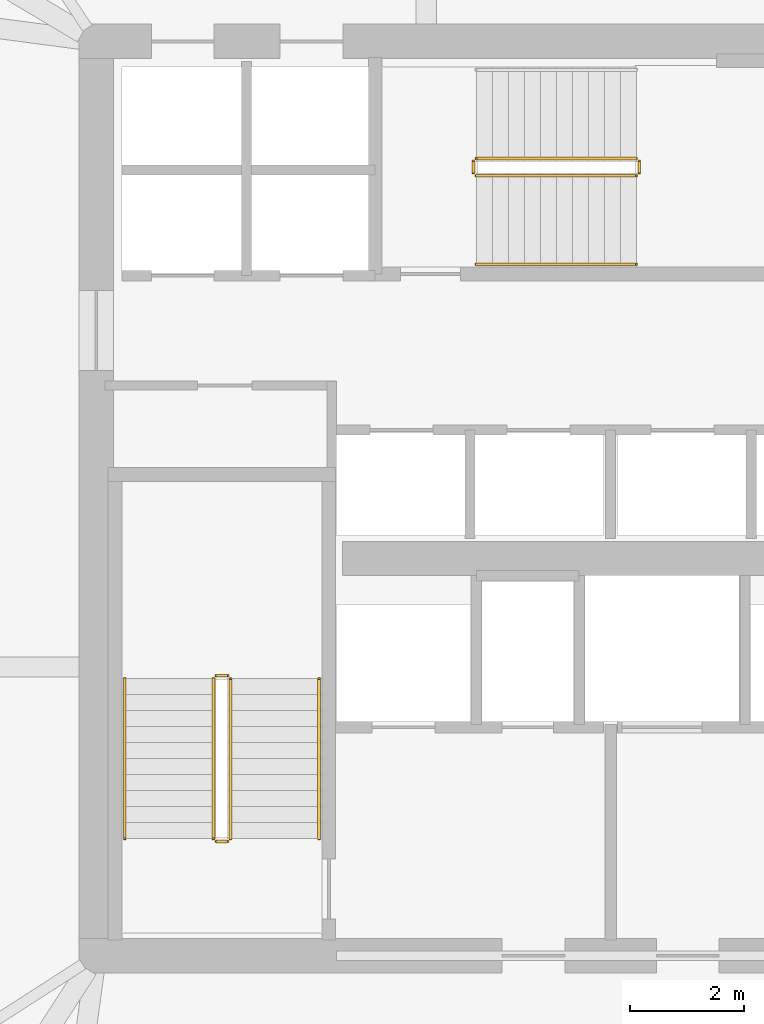
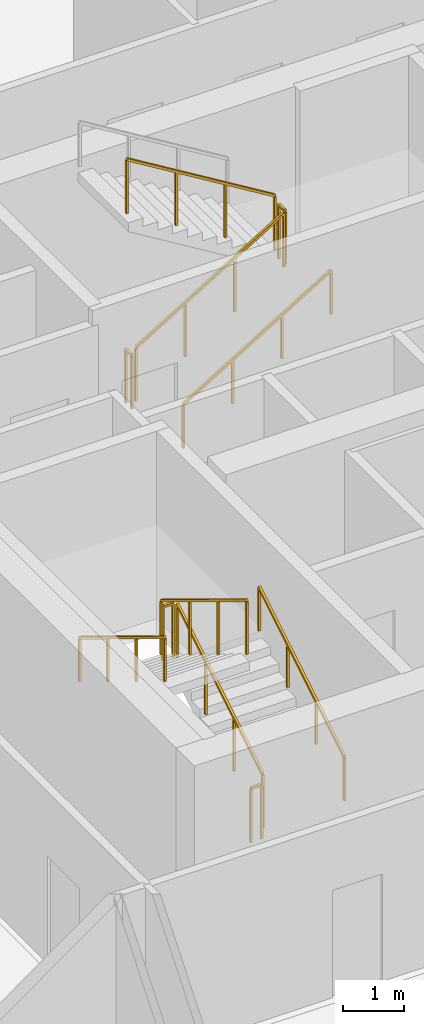
# One storey, part 32 of 35: 11 railings.
"""IFC4 building model written with IfcOpenShell, lengths in metres."""

from ifc_helpers import new_model, si_unit, direction, frame, origin, origin_2d, place, context, subcontext, project, spatial, rectangle, extrude, material, type_object, element, save


model = new_model("IFC4")

# Units and contexts
model_context = context("Model", 3, precision=1e-05, world=origin(), true_north=direction((0.0, 1.0)))
body_context = subcontext(model_context, "Body", "Model", "MODEL_VIEW")
ifc_project = project(units=[si_unit("LENGTHUNIT", "METRE"), si_unit("AREAUNIT", "SQUARE_METRE"), si_unit("VOLUMEUNIT", "CUBIC_METRE"), si_unit("PLANEANGLEUNIT", "RADIAN"), si_unit("MASSUNIT", "GRAM", prefix="KILO")], contexts=[model_context])

# Site, building, storey
site_placement = place(None, origin())
site = spatial("IfcSite", under=ifc_project, at=site_placement, CompositionType="ELEMENT")
building_placement = place(site_placement, origin())
building = spatial("IfcBuilding", under=site, at=building_placement, Name="Haldenkirk Collegiate Tower", CompositionType="ELEMENT")
storey_placement = place(building_placement, frame((0.0, 0.0, 32.699951171875)))
storey = spatial("IfcBuildingStorey", under=building, at=storey_placement, Name="L06", CompositionType="ELEMENT", Elevation=32.699951171875)

# Railings
ifc_material = material(Name="Painted architectural tubular steel", Category="steel")
railing_type_1 = type_object("IfcRailingType", Name="RLG-STAIR-GUARD-1100", PredefinedType="BALUSTRADE", material=ifc_material)
railing_1_placement = place(storey_placement, frame((29.35009765625, 20.050048828125, 0.17041015625)))
element("IfcRailing", 1, at=railing_1_placement, inside=storey, type_object=railing_type_1, Name="L06 ST-1 stair guard 1", PredefinedType="BALUSTRADE", context=body_context, shape_type="SweptSolid", body=[
    extrude(rectangle(XDim=0.048095703125, YDim=0.048095703125, at=origin_2d()), frame((0.0, 0.0, 1.076171875), z_axis=(0.0, 0.854169791009, 0.51999420009), x_axis=(-1.0, 0.0, 0.0)), (0.0, 0.0, 1.0), 3.278076171875),
    extrude(rectangle(XDim=0.0419921875, YDim=0.0419921875, at=origin_2d()), origin(), (0.0, 0.0, 1.0), 1.052001953125),
    extrude(rectangle(XDim=0.0419921875, YDim=0.0419921875, at=origin_2d()), frame((0.0, 0.933349609375, 0.568115234375)), (0.0, 0.0, 1.0), 1.052001953125),
    extrude(rectangle(XDim=0.0419921875, YDim=0.0419921875, at=origin_2d()), frame((0.0, 1.86669921875, 1.136474609375)), (0.0, 0.0, 1.0), 1.052001953125),
    extrude(rectangle(XDim=0.0419921875, YDim=0.0419921875, at=origin_2d()), frame((0.0, 2.800048828125, 1.70458984375)), (0.0, 0.0, 1.0), 1.052001953125),
])
railing_2_placement = place(storey_placement, frame((29.300048828125, 22.89990234375, 1.875)))
element("IfcRailing", 2, at=railing_2_placement, inside=storey, type_object=railing_type_1, Name="L06 ST-1 stair guard 2", PredefinedType="BALUSTRADE", context=body_context, shape_type="SweptSolid", body=[
    extrude(rectangle(XDim=0.048095703125, YDim=0.048095703125, at=origin_2d()), frame((0.0, 0.0, 1.076171875), z_axis=(-1.0, 0.0, 0.0), x_axis=(0.0, -1.0, 0.0)), (0.0, 0.0, 1.0), 0.199951171875),
    extrude(rectangle(XDim=0.0419921875, YDim=0.0419921875, at=origin_2d()), origin(), (0.0, 0.0, 1.0), 1.052001953125),
    extrude(rectangle(XDim=0.0419921875, YDim=0.0419921875, at=origin_2d()), frame((-0.199951171875, 0.0, 0.0)), (0.0, 0.0, 1.0), 1.052001953125),
])
railing_3_placement = place(storey_placement, frame((29.050048828125, 22.85009765625, 2.04541015625)))
element("IfcRailing", 3, at=railing_3_placement, inside=storey, type_object=railing_type_1, Name="L06 ST-1 stair guard 3", PredefinedType="BALUSTRADE", context=body_context, shape_type="SweptSolid", body=[
    extrude(rectangle(XDim=0.048095703125, YDim=0.048095703125, at=origin_2d()), frame((0.0, 0.0, 1.076171875), z_axis=(0.0, -0.854169791009, 0.51999420009), x_axis=(1.0, 0.0, 0.0)), (0.0, 0.0, 1.0), 3.278076171875),
    extrude(rectangle(XDim=0.0419921875, YDim=0.0419921875, at=origin_2d()), origin(), (0.0, 0.0, 1.0), 1.052001953125),
    extrude(rectangle(XDim=0.0419921875, YDim=0.0419921875, at=origin_2d()), frame((0.0, -0.933349609375, 0.568115234375)), (0.0, 0.0, 1.0), 1.052001953125),
    extrude(rectangle(XDim=0.0419921875, YDim=0.0419921875, at=origin_2d()), frame((0.0, -1.86669921875, 1.136474609375)), (0.0, 0.0, 1.0), 1.052001953125),
    extrude(rectangle(XDim=0.0419921875, YDim=0.0419921875, at=origin_2d()), frame((0.0, -2.800048828125, 1.70458984375)), (0.0, 0.0, 1.0), 1.052001953125),
])
railing_4_placement = place(storey_placement, frame((29.300048828125, 20.0, 0.0)))
element("IfcRailing", 4, at=railing_4_placement, inside=storey, type_object=railing_type_1, Name="L06 ST-1 stair guard 4", PredefinedType="BALUSTRADE", context=body_context, shape_type="SweptSolid", body=[
    extrude(rectangle(XDim=0.048095703125, YDim=0.048095703125, at=origin_2d()), frame((0.0, 0.0, 1.076171875), z_axis=(-1.0, 0.0, 0.0), x_axis=(0.0, -1.0, 0.0)), (0.0, 0.0, 1.0), 0.199951171875),
    extrude(rectangle(XDim=0.0419921875, YDim=0.0419921875, at=origin_2d()), origin(), (0.0, 0.0, 1.0), 1.052001953125),
    extrude(rectangle(XDim=0.0419921875, YDim=0.0419921875, at=origin_2d()), frame((-0.199951171875, 0.0, 0.0)), (0.0, 0.0, 1.0), 1.052001953125),
])
railing_5_placement = place(storey_placement, frame((33.64990234375, 31.64990234375, 0.17041015625)))
element("IfcRailing", 5, at=railing_5_placement, inside=storey, type_object=railing_type_1, Name="L06 ST-3 stair guard 1", PredefinedType="BALUSTRADE", context=body_context, shape_type="SweptSolid", body=[
    extrude(rectangle(XDim=0.048095703125, YDim=0.048095703125, at=origin_2d()), frame((0.0, 0.0, 1.076171875), z_axis=(0.854169791009, 0.0, 0.51999420009), x_axis=(0.0, 1.0, 0.0)), (0.0, 0.0, 1.0), 3.278076171875),
    extrude(rectangle(XDim=0.0419921875, YDim=0.0419921875, at=origin_2d()), origin(), (0.0, 0.0, 1.0), 1.052001953125),
    extrude(rectangle(XDim=0.0419921875, YDim=0.0419921875, at=origin_2d()), frame((0.933349609375, 0.0, 0.568115234375)), (0.0, 0.0, 1.0), 1.052001953125),
    extrude(rectangle(XDim=0.0419921875, YDim=0.0419921875, at=origin_2d()), frame((1.86669921875, 0.0, 1.136474609375)), (0.0, 0.0, 1.0), 1.052001953125),
    extrude(rectangle(XDim=0.0419921875, YDim=0.0419921875, at=origin_2d()), frame((2.800048828125, 0.0, 1.70458984375)), (0.0, 0.0, 1.0), 1.052001953125),
])
railing_6_placement = place(storey_placement, frame((36.5, 31.699951171875, 1.875)))
element("IfcRailing", 6, at=railing_6_placement, inside=storey, type_object=railing_type_1, Name="L06 ST-3 stair guard 2", PredefinedType="BALUSTRADE", context=body_context, shape_type="SweptSolid", body=[
    extrude(rectangle(XDim=0.048095703125, YDim=0.048095703125, at=origin_2d()), frame((0.0, 0.0, 1.076171875), z_axis=(0.0, 1.0, 0.0), x_axis=(-1.0, 0.0, 0.0)), (0.0, 0.0, 1.0), 0.199951171875),
    extrude(rectangle(XDim=0.0419921875, YDim=0.0419921875, at=origin_2d()), origin(), (0.0, 0.0, 1.0), 1.052001953125),
    extrude(rectangle(XDim=0.0419921875, YDim=0.0419921875, at=origin_2d()), frame((0.0, 0.199951171875, 0.0)), (0.0, 0.0, 1.0), 1.052001953125),
])
railing_7_placement = place(storey_placement, frame((36.449951171875, 31.949951171875, 2.04541015625)))
element("IfcRailing", 7, at=railing_7_placement, inside=storey, type_object=railing_type_1, Name="L06 ST-3 stair guard 3", PredefinedType="BALUSTRADE", context=body_context, shape_type="SweptSolid", body=[
    extrude(rectangle(XDim=0.048095703125, YDim=0.048095703125, at=origin_2d()), frame((0.0, 0.0, 1.076171875), z_axis=(-0.854169791009, 0.0, 0.51999420009), x_axis=(0.0, -1.0, 0.0)), (0.0, 0.0, 1.0), 3.278076171875),
    extrude(rectangle(XDim=0.0419921875, YDim=0.0419921875, at=origin_2d()), origin(), (0.0, 0.0, 1.0), 1.052001953125),
    extrude(rectangle(XDim=0.0419921875, YDim=0.0419921875, at=origin_2d()), frame((-0.933349609375, 0.0, 0.568115234375)), (0.0, 0.0, 1.0), 1.052001953125),
    extrude(rectangle(XDim=0.0419921875, YDim=0.0419921875, at=origin_2d()), frame((-1.86669921875, 0.0, 1.136474609375)), (0.0, 0.0, 1.0), 1.052001953125),
    extrude(rectangle(XDim=0.0419921875, YDim=0.0419921875, at=origin_2d()), frame((-2.800048828125, 0.0, 1.70458984375)), (0.0, 0.0, 1.0), 1.052001953125),
])
railing_8_placement = place(storey_placement, frame((33.60009765625, 31.699951171875, 0.0)))
element("IfcRailing", 8, at=railing_8_placement, inside=storey, type_object=railing_type_1, Name="L06 ST-3 stair guard 4", PredefinedType="BALUSTRADE", context=body_context, shape_type="SweptSolid", body=[
    extrude(rectangle(XDim=0.048095703125, YDim=0.048095703125, at=origin_2d()), frame((0.0, 0.0, 1.076171875), z_axis=(0.0, 1.0, 0.0), x_axis=(-1.0, 0.0, 0.0)), (0.0, 0.0, 1.0), 0.199951171875),
    extrude(rectangle(XDim=0.0419921875, YDim=0.0419921875, at=origin_2d()), origin(), (0.0, 0.0, 1.0), 1.052001953125),
    extrude(rectangle(XDim=0.0419921875, YDim=0.0419921875, at=origin_2d()), frame((0.0, 0.199951171875, 0.0)), (0.0, 0.0, 1.0), 1.052001953125),
])
railing_type_2 = type_object("IfcRailingType", Name="RLG-STAIR-HANDRAIL-900", PredefinedType="HANDRAIL", material=ifc_material)
railing_9_placement = place(storey_placement, frame((30.89990234375, 20.050048828125, 0.17041015625)))
element("IfcRailing", 9, at=railing_9_placement, inside=storey, type_object=railing_type_2, Name="L06 ST-1 stair handrail 1", PredefinedType="HANDRAIL", context=body_context, shape_type="SweptSolid", body=[
    extrude(rectangle(XDim=0.048095703125, YDim=0.048095703125, at=origin_2d()), frame((0.0, 0.0, 0.8759765625), z_axis=(0.0, 0.854169791009, 0.51999420009), x_axis=(-1.0, 0.0, 0.0)), (0.0, 0.0, 1.0), 3.278076171875),
    extrude(rectangle(XDim=0.0419921875, YDim=0.0419921875, at=origin_2d()), origin(), (0.0, 0.0, 1.0), 0.851806640625),
    extrude(rectangle(XDim=0.0419921875, YDim=0.0419921875, at=origin_2d()), frame((0.0, 0.933349609375, 0.568115234375)), (0.0, 0.0, 1.0), 0.851806640625),
    extrude(rectangle(XDim=0.0419921875, YDim=0.0419921875, at=origin_2d()), frame((0.0, 1.86669921875, 1.136474609375)), (0.0, 0.0, 1.0), 0.851806640625),
    extrude(rectangle(XDim=0.0419921875, YDim=0.0419921875, at=origin_2d()), frame((0.0, 2.800048828125, 1.70458984375)), (0.0, 0.0, 1.0), 0.851806640625),
])
railing_10_placement = place(storey_placement, frame((27.5, 22.85009765625, 2.04541015625)))
element("IfcRailing", 10, at=railing_10_placement, inside=storey, type_object=railing_type_2, Name="L06 ST-1 stair handrail 2", PredefinedType="HANDRAIL", context=body_context, shape_type="SweptSolid", body=[
    extrude(rectangle(XDim=0.048095703125, YDim=0.048095703125, at=origin_2d()), frame((0.0, 0.0, 0.8759765625), z_axis=(0.0, -0.854169791009, 0.51999420009), x_axis=(1.0, 0.0, 0.0)), (0.0, 0.0, 1.0), 3.278076171875),
    extrude(rectangle(XDim=0.0419921875, YDim=0.0419921875, at=origin_2d()), origin(), (0.0, 0.0, 1.0), 0.851806640625),
    extrude(rectangle(XDim=0.0419921875, YDim=0.0419921875, at=origin_2d()), frame((0.0, -0.933349609375, 0.568115234375)), (0.0, 0.0, 1.0), 0.851806640625),
    extrude(rectangle(XDim=0.0419921875, YDim=0.0419921875, at=origin_2d()), frame((0.0, -1.86669921875, 1.136474609375)), (0.0, 0.0, 1.0), 0.851806640625),
    extrude(rectangle(XDim=0.0419921875, YDim=0.0419921875, at=origin_2d()), frame((0.0, -2.800048828125, 1.70458984375)), (0.0, 0.0, 1.0), 0.851806640625),
])
railing_11_placement = place(storey_placement, frame((33.64990234375, 30.10009765625, 0.17041015625)))
element("IfcRailing", 11, at=railing_11_placement, inside=storey, type_object=railing_type_2, Name="L06 ST-3 stair handrail 1", PredefinedType="HANDRAIL", context=body_context, shape_type="SweptSolid", body=[
    extrude(rectangle(XDim=0.048095703125, YDim=0.048095703125, at=origin_2d()), frame((0.0, 0.0, 0.8759765625), z_axis=(0.854169791009, 0.0, 0.51999420009), x_axis=(0.0, 1.0, 0.0)), (0.0, 0.0, 1.0), 3.278076171875),
    extrude(rectangle(XDim=0.0419921875, YDim=0.0419921875, at=origin_2d()), origin(), (0.0, 0.0, 1.0), 0.851806640625),
    extrude(rectangle(XDim=0.0419921875, YDim=0.0419921875, at=origin_2d()), frame((0.933349609375, 0.0, 0.568115234375)), (0.0, 0.0, 1.0), 0.851806640625),
    extrude(rectangle(XDim=0.0419921875, YDim=0.0419921875, at=origin_2d()), frame((1.86669921875, 0.0, 1.136474609375)), (0.0, 0.0, 1.0), 0.851806640625),
    extrude(rectangle(XDim=0.0419921875, YDim=0.0419921875, at=origin_2d()), frame((2.800048828125, 0.0, 1.70458984375)), (0.0, 0.0, 1.0), 0.851806640625),
])

save(model, "model.ifc")
